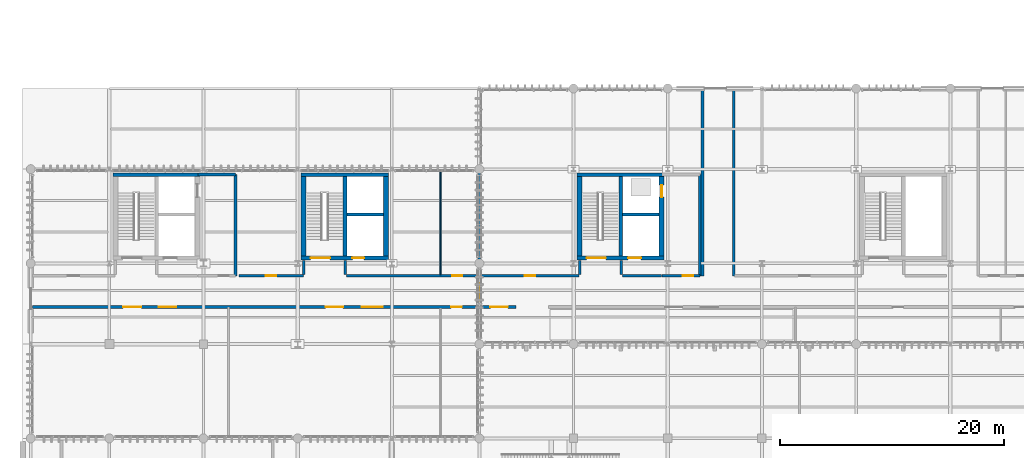
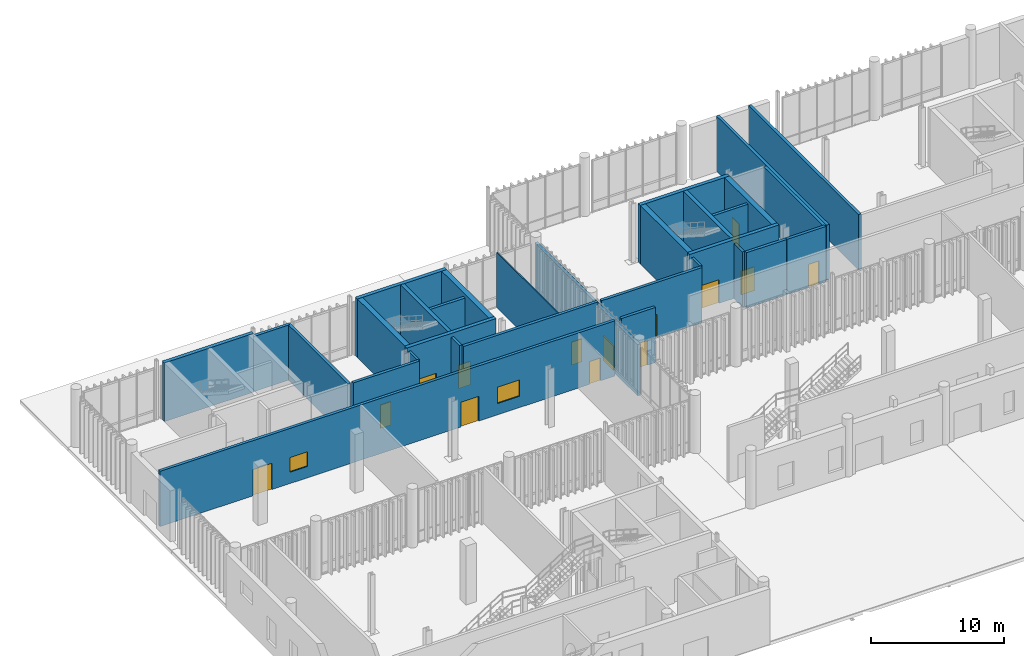
# One storey, part 87 of 112: 31 walls, 14 doors, 2 windows, 16 openings.
"""IFC4 building model written with IfcOpenShell, lengths in metres."""

from ifc_helpers import new_model, si_unit, direction, frame, frame_2d, origin_with_axes, place, context, subcontext, project, spatial, rectangle, extrude, material, layer, layer_set, type_object, element, fill, save


model = new_model("IFC4")

# Units and contexts
model_context = context("Model", 3, precision=1e-05, world=origin_with_axes(), true_north=direction((0.0, 1.0)))
body_context = subcontext(model_context, "Body", "Model", "MODEL_VIEW")
ifc_project = project(units=[si_unit("LENGTHUNIT", "METRE"), si_unit("AREAUNIT", "SQUARE_METRE"), si_unit("VOLUMEUNIT", "CUBIC_METRE"), si_unit("PLANEANGLEUNIT", "RADIAN"), si_unit("MASSUNIT", "GRAM", prefix="KILO"), si_unit("THERMODYNAMICTEMPERATUREUNIT", "KELVIN")], contexts=[model_context])

# Site, building, storey
site_placement = place(None, origin_with_axes())
site = spatial("IfcSite", under=ifc_project, at=site_placement, CompositionType="ELEMENT")
building_placement = place(site_placement, origin_with_axes())
building = spatial("IfcBuilding", under=site, at=building_placement, Name="Montbau Bow Law Courts", CompositionType="ELEMENT")
storey_placement = place(building_placement, origin_with_axes())
storey = spatial("IfcBuildingStorey", under=building, at=storey_placement, Name="L00", CompositionType="ELEMENT", Elevation=0.0)

# Walls
ifc_material_1 = material(Name="Concrete CSA A23.1 f'c 45 MPa", Category="concrete")
ifc_layer_1 = layer(ifc_material_1, 0.45, Name="Shear Wall", Category="concrete")
ifc_layer_set_1 = layer_set([ifc_layer_1], Name="Concrete CSA A23.1 f'c 45 MPa")
wall_type_1 = type_object("IfcWallType", Name="W-COR-02", PredefinedType="SHEAR", material=ifc_layer_set_1)
for number, where, z_axis, x_axis, name in (
    (1, (38.46, 46.84, 0.0), (0.0, 0.0, 1.0), (0.0, 1.0, 0.0), "WC-L00-0090:wal_0157"),
    (2, (31.14, 53.96, 0.0), (0.0, 0.0, 1.0), (0.0, -1.0, 0.0), "WC-L00-0091:wal_0158"),
):
    element("IfcWall", number, at=place(None, frame(where, z_axis=z_axis, x_axis=x_axis)), inside=storey, type_object=wall_type_1, Name=name, PredefinedType="SHEAR", context=body_context, shape_type="SweptSolid", body=[
        extrude(rectangle(XDim=7.119999999999997, YDim=0.45, at=frame_2d((3.56, 0.0), x_axis=(1.0, 0.0))), origin_with_axes(), (0.0, 0.0, 1.0), 5.4),
    ])

# Wall, opening, door
wall_1_placement = place(None, frame((63.06, 46.84, 0.0), z_axis=(0.0, 0.0, 1.0), x_axis=(0.0, 1.0, 0.0)))
wall_1 = element("IfcWall", 3, at=wall_1_placement, inside=storey, type_object=wall_type_1, Name="WC-L00-0144:wal_0211", PredefinedType="SHEAR", context=body_context, shape_type="SweptSolid", body=[
    extrude(rectangle(XDim=7.119999999999997, YDim=0.45, at=frame_2d((3.56, 0.0), x_axis=(1.0, 0.0))), origin_with_axes(), (0.0, 0.0, 1.0), 5.4),
])
opening_1_placement = place(None, frame((63.06, 52.64, 0.0), z_axis=(0.0, 0.0, 1.0), x_axis=(0.0, 1.0, 0.0)))
opening_1 = element("IfcOpeningElement", 4, at=opening_1_placement, cuts=wall_1, Name="OP-LD-L00-EL-J3", PredefinedType="OPENING", context=body_context, shape_type="SweptSolid", body=[
    extrude(rectangle(XDim=1.06, YDim=2.16, at=frame_2d((0.0, 1.08), x_axis=(1.0, 0.0))), frame((0.0, 0.235, 0.0), z_axis=(0.0, -1.0, 0.0), x_axis=(1.0, 0.0, 0.0)), (0.0, 0.0, 1.0), 0.47),
])
ifc_material_2 = material(Name="Bronze-Clad Judicial Elevator Landing Door", Category="steel")
door_type_1 = type_object("IfcDoorType", Name="LD-JUD-01", OperationType="NOTDEFINED", ParameterTakesPrecedence=False, PredefinedType="DOOR", material=ifc_material_2)
door_1_placement = place(None, frame((63.06, 52.64, 0.0), z_axis=(0.0, 0.0, 1.0), x_axis=(0.0, 1.0, 0.0)))
door_1 = element("IfcDoor", 5, at=door_1_placement, inside=storey, type_object=door_type_1, Name="LD-L00-EL-J3:dor_0095", OperationType="SLIDING_TO_LEFT", OverallHeight=2.16, OverallWidth=1.06, PredefinedType="DOOR", context=body_context, shape_type="SweptSolid", body=[
    extrude(rectangle(XDim=1.06, YDim=2.16, at=frame_2d((0.0, 1.08), x_axis=(1.0, 0.0))), frame((0.0, 0.04, 0.0), z_axis=(0.0, -1.0, 0.0), x_axis=(1.0, 0.0, 0.0)), (0.0, 0.0, 1.0), 0.08),
])
fill(opening_1, door_1)

# Walls
wall_2_placement = place(None, frame((55.74, 53.96, 0.0), z_axis=(0.0, 0.0, 1.0), x_axis=(0.0, -1.0, 0.0)))
element("IfcWall", 6, at=wall_2_placement, inside=storey, type_object=wall_type_1, Name="WC-L00-0145:wal_0212", PredefinedType="SHEAR", context=body_context, shape_type="SweptSolid", body=[
    extrude(rectangle(XDim=7.119999999999997, YDim=0.45, at=frame_2d((3.56, 0.0), x_axis=(1.0, 0.0))), origin_with_axes(), (0.0, 0.0, 1.0), 5.4),
])
ifc_layer_2 = layer(ifc_material_1, 0.32, Name="Shear Wall", Category="concrete")
ifc_layer_set_2 = layer_set([ifc_layer_2], Name="Concrete CSA A23.1 f'c 45 MPa")
wall_type_2 = type_object("IfcWallType", Name="W-COR-05", PredefinedType="SHEAR", material=ifc_layer_set_2)
wall_3_placement = place(None, frame((21.885, 54.12, 0.0), z_axis=(0.0, 0.0, 1.0), x_axis=(-1.0, 0.0, 0.0)))
element("IfcWall", 7, at=wall_3_placement, inside=storey, type_object=wall_type_2, Name="WC-L00-0011:wal_0078", PredefinedType="SHEAR", context=body_context, shape_type="SweptSolid", body=[
    extrude(rectangle(XDim=7.770000000000001, YDim=0.32, at=frame_2d((3.885, 0.0), x_axis=(1.0, 0.0))), origin_with_axes(), (0.0, 0.0, 1.0), 5.4),
])

# Wall, openings, doors
wall_4_placement = place(None, frame((30.915, 46.68, 0.0), z_axis=(0.0, 0.0, 1.0), x_axis=(1.0, 0.0, 0.0)))
wall_4 = element("IfcWall", 8, at=wall_4_placement, inside=storey, type_object=wall_type_2, Name="WC-L00-0088:wal_0155", PredefinedType="SHEAR", context=body_context, shape_type="SweptSolid", body=[
    extrude(rectangle(XDim=7.770000000000003, YDim=0.32, at=frame_2d((3.885, 0.0), x_axis=(1.0, 0.0))), origin_with_axes(), (0.0, 0.0, 1.0), 5.4),
])
opening_2_placement = place(None, frame((32.625, 46.68, 0.0), z_axis=(0.0, 0.0, 1.0), x_axis=(1.0, 0.0, 0.0)))
opening_2 = element("IfcOpeningElement", 9, at=opening_2_placement, cuts=wall_4, Name="OP-D-L00-ST-J1", PredefinedType="OPENING", context=body_context, shape_type="SweptSolid", body=[
    extrude(rectangle(XDim=1.72, YDim=2.18, at=frame_2d((0.0, 1.09), x_axis=(1.0, 0.0))), frame((0.0, 0.17, 0.0), z_axis=(0.0, -1.0, 0.0), x_axis=(1.0, 0.0, 0.0)), (0.0, 0.0, 1.0), 0.34),
])
opening_3_placement = place(None, frame((36.0, 46.68, 0.0), z_axis=(0.0, 0.0, 1.0), x_axis=(1.0, 0.0, 0.0)))
opening_3 = element("IfcOpeningElement", 10, at=opening_3_placement, cuts=wall_4, Name="OP-LD-L00-EL-J1", PredefinedType="OPENING", context=body_context, shape_type="SweptSolid", body=[
    extrude(rectangle(XDim=1.06, YDim=2.16, at=frame_2d((0.0, 1.08), x_axis=(1.0, 0.0))), frame((0.0, 0.17, 0.0), z_axis=(0.0, -1.0, 0.0), x_axis=(1.0, 0.0, 0.0)), (0.0, 0.0, 1.0), 0.34),
])
ifc_material_3 = material(Name="1.5 h Fire-Rated Double Exit Stair Discharge Door", Category="steel")
door_type_2 = type_object("IfcDoorType", Name="D-ST-02", OperationType="NOTDEFINED", ParameterTakesPrecedence=False, PredefinedType="DOOR", material=ifc_material_3)
door_2_placement = place(None, frame((32.625, 46.68, 0.0), z_axis=(0.0, 0.0, 1.0), x_axis=(-1.0, 0.0, 0.0)))
door_2 = element("IfcDoor", 11, at=door_2_placement, inside=storey, type_object=door_type_2, Name="D-L00-ST-J1:dor_0075", OperationType="DOUBLE_DOOR_SINGLE_SWING", OverallHeight=2.18, OverallWidth=1.72, PredefinedType="DOOR", context=body_context, shape_type="SweptSolid", body=[
    extrude(rectangle(XDim=1.72, YDim=2.18, at=frame_2d((0.0, 1.09), x_axis=(1.0, 0.0))), frame((0.0, 0.04, 0.0), z_axis=(0.0, -1.0, 0.0), x_axis=(1.0, 0.0, 0.0)), (0.0, 0.0, 1.0), 0.08),
])
fill(opening_2, door_2)
door_3_placement = place(None, frame((36.0, 46.68, 0.0), z_axis=(0.0, 0.0, 1.0), x_axis=(-1.0, 0.0, 0.0)))
door_3 = element("IfcDoor", 12, at=door_3_placement, inside=storey, type_object=door_type_1, Name="LD-L00-EL-J1:dor_0076", OperationType="SLIDING_TO_LEFT", OverallHeight=2.16, OverallWidth=1.06, PredefinedType="DOOR", context=body_context, shape_type="SweptSolid", body=[
    extrude(rectangle(XDim=1.06, YDim=2.16, at=frame_2d((0.0, 1.08), x_axis=(1.0, 0.0))), frame((0.0, 0.04, 0.0), z_axis=(0.0, -1.0, 0.0), x_axis=(1.0, 0.0, 0.0)), (0.0, 0.0, 1.0), 0.08),
])
fill(opening_3, door_3)

# Walls
wall_5_placement = place(None, frame((38.685, 54.12, 0.0), z_axis=(0.0, 0.0, 1.0), x_axis=(-1.0, 0.0, 0.0)))
element("IfcWall", 13, at=wall_5_placement, inside=storey, type_object=wall_type_2, Name="WC-L00-0089:wal_0156", PredefinedType="SHEAR", context=body_context, shape_type="SweptSolid", body=[
    extrude(rectangle(XDim=7.770000000000003, YDim=0.32, at=frame_2d((3.885, 0.0), x_axis=(1.0, 0.0))), origin_with_axes(), (0.0, 0.0, 1.0), 5.4),
])
wall_6_placement = place(None, frame((34.82, 46.84, 0.0), z_axis=(0.0, 0.0, 1.0), x_axis=(0.0, 1.0, 0.0)))
element("IfcWall", 14, at=wall_6_placement, inside=storey, type_object=wall_type_2, Name="WS-L00-0092:wal_0159", PredefinedType="SHEAR", context=body_context, shape_type="SweptSolid", body=[
    extrude(rectangle(XDim=7.119999999999997, YDim=0.32, at=frame_2d((3.56, 0.0), x_axis=(1.0, 0.0))), origin_with_axes(), (0.0, 0.0, 1.0), 5.4),
])

# Wall, openings, doors
wall_7_placement = place(None, frame((55.515, 46.68, 0.0), z_axis=(0.0, 0.0, 1.0), x_axis=(1.0, 0.0, 0.0)))
wall_7 = element("IfcWall", 15, at=wall_7_placement, inside=storey, type_object=wall_type_2, Name="WC-L00-0142:wal_0209", PredefinedType="SHEAR", context=body_context, shape_type="SweptSolid", body=[
    extrude(rectangle(XDim=7.769999999999996, YDim=0.32, at=frame_2d((3.885, 0.0), x_axis=(1.0, 0.0))), origin_with_axes(), (0.0, 0.0, 1.0), 5.4),
])
opening_4_placement = place(None, frame((57.225, 46.68, 0.0), z_axis=(0.0, 0.0, 1.0), x_axis=(1.0, 0.0, 0.0)))
opening_4 = element("IfcOpeningElement", 16, at=opening_4_placement, cuts=wall_7, Name="OP-D-L00-ST-P4", PredefinedType="OPENING", context=body_context, shape_type="SweptSolid", body=[
    extrude(rectangle(XDim=1.72, YDim=2.18, at=frame_2d((0.0, 1.09), x_axis=(1.0, 0.0))), frame((0.0, 0.17, 0.0), z_axis=(0.0, -1.0, 0.0), x_axis=(1.0, 0.0, 0.0)), (0.0, 0.0, 1.0), 0.34),
])
opening_5_placement = place(None, frame((60.65, 46.68, 0.0), z_axis=(0.0, 0.0, 1.0), x_axis=(1.0, 0.0, 0.0)))
opening_5 = element("IfcOpeningElement", 17, at=opening_5_placement, cuts=wall_7, Name="OP-LD-L00-EL-P3", PredefinedType="OPENING", context=body_context, shape_type="SweptSolid", body=[
    extrude(rectangle(XDim=1.16, YDim=2.2, at=frame_2d((0.0, 1.1), x_axis=(1.0, 0.0))), frame((0.0, 0.17, 0.0), z_axis=(0.0, -1.0, 0.0), x_axis=(1.0, 0.0, 0.0)), (0.0, 0.0, 1.0), 0.34),
])
door_4_placement = place(None, frame((57.225, 46.68, 0.0), z_axis=(0.0, 0.0, 1.0), x_axis=(-1.0, 0.0, 0.0)))
door_4 = element("IfcDoor", 18, at=door_4_placement, inside=storey, type_object=door_type_2, Name="D-L00-ST-P4:dor_0093", OperationType="DOUBLE_DOOR_SINGLE_SWING", OverallHeight=2.18, OverallWidth=1.72, PredefinedType="DOOR", context=body_context, shape_type="SweptSolid", body=[
    extrude(rectangle(XDim=1.72, YDim=2.18, at=frame_2d((0.0, 1.09), x_axis=(1.0, 0.0))), frame((0.0, 0.04, 0.0), z_axis=(0.0, -1.0, 0.0), x_axis=(1.0, 0.0, 0.0)), (0.0, 0.0, 1.0), 0.08),
])
fill(opening_4, door_4)
ifc_material_4 = material(Name="Brushed Stainless Steel Elevator Landing Door", Category="steel")
door_type_3 = type_object("IfcDoorType", Name="LD-PUB-01", OperationType="NOTDEFINED", ParameterTakesPrecedence=False, PredefinedType="DOOR", material=ifc_material_4)
door_5_placement = place(None, frame((60.65, 46.68, 0.0), z_axis=(0.0, 0.0, 1.0), x_axis=(-1.0, 0.0, 0.0)))
door_5 = element("IfcDoor", 19, at=door_5_placement, inside=storey, type_object=door_type_3, Name="LD-L00-EL-P3:dor_0094", OperationType="SLIDING_TO_LEFT", OverallHeight=2.2, OverallWidth=1.16, PredefinedType="DOOR", context=body_context, shape_type="SweptSolid", body=[
    extrude(rectangle(XDim=1.16, YDim=2.2, at=frame_2d((0.0, 1.1), x_axis=(1.0, 0.0))), frame((0.0, 0.04, 0.0), z_axis=(0.0, -1.0, 0.0), x_axis=(1.0, 0.0, 0.0)), (0.0, 0.0, 1.0), 0.08),
])
fill(opening_5, door_5)

# Walls
wall_8_placement = place(None, frame((63.285, 54.12, 0.0), z_axis=(0.0, 0.0, 1.0), x_axis=(-1.0, 0.0, 0.0)))
element("IfcWall", 20, at=wall_8_placement, inside=storey, type_object=wall_type_2, Name="WC-L00-0143:wal_0210", PredefinedType="SHEAR", context=body_context, shape_type="SweptSolid", body=[
    extrude(rectangle(XDim=7.769999999999996, YDim=0.32, at=frame_2d((3.885, 0.0), x_axis=(1.0, 0.0))), origin_with_axes(), (0.0, 0.0, 1.0), 5.4),
])
wall_9_placement = place(None, frame((59.42, 46.84, 0.0), z_axis=(0.0, 0.0, 1.0), x_axis=(0.0, 1.0, 0.0)))
element("IfcWall", 21, at=wall_9_placement, inside=storey, type_object=wall_type_2, Name="WS-L00-0146:wal_0213", PredefinedType="SHEAR", context=body_context, shape_type="SweptSolid", body=[
    extrude(rectangle(XDim=7.119999999999997, YDim=0.32, at=frame_2d((3.56, 0.0), x_axis=(1.0, 0.0))), origin_with_axes(), (0.0, 0.0, 1.0), 5.4),
])
ifc_material_5 = material(Name="2 h Shaft and Exit-Passage Fire Separation Partition", Category="gypsum")
ifc_layer_3 = layer(ifc_material_5, 0.25, Name="Partition", Category="gypsum")
ifc_layer_set_3 = layer_set([ifc_layer_3], Name="2 h Shaft and Exit-Passage Fire Separation Partition")
wall_type_3 = type_object("IfcWallType", Name="W-PRT-01", PredefinedType="PARTITIONING", material=ifc_layer_set_3)
wall_10_placement = place(None, frame((25.06, 45.09, 0.0), z_axis=(0.0, 0.0, 1.0), x_axis=(0.0, 1.0, 0.0)))
element("IfcWall", 22, at=wall_10_placement, inside=storey, type_object=wall_type_3, Name="WEL-L00-0016:wal_0083", PredefinedType="PARTITIONING", context=body_context, shape_type="SweptSolid", body=[
    extrude(rectangle(XDim=9.029999999999994, YDim=0.25, at=frame_2d((4.515, 0.0), x_axis=(1.0, 0.0))), origin_with_axes(), (0.0, 0.0, 1.0), 5.08),
])
wall_11_placement = place(None, frame((21.7, 54.12, 0.0), z_axis=(0.0, 0.0, 1.0), x_axis=(1.0, 0.0, 0.0)))
element("IfcWall", 23, at=wall_11_placement, inside=storey, type_object=wall_type_3, Name="WEL-L00-0017:wal_0084", PredefinedType="PARTITIONING", context=body_context, shape_type="SweptSolid", body=[
    extrude(rectangle(XDim=3.3599999999999994, YDim=0.25, at=frame_2d((1.68, 0.0), x_axis=(1.0, 0.0))), origin_with_axes(), (0.0, 0.0, 1.0), 5.08),
])
for number, where, z_axis, x_axis, name in (
    (24, (34.98, 50.549, 0.0), (0.0, 0.0, 1.0), (1.0, 0.0, 0.0), "WS-L00-0093:wal_0160"),
    (25, (59.58, 50.549, 0.0), (0.0, 0.0, 1.0), (1.0, 0.0, 0.0), "WS-L00-0147:wal_0214"),
):
    element("IfcWall", number, at=place(None, frame(where, z_axis=z_axis, x_axis=x_axis)), inside=storey, type_object=wall_type_3, Name=name, PredefinedType="PARTITIONING", context=body_context, shape_type="SweptSolid", body=[
        extrude(rectangle(XDim=3.2550000000000026, YDim=0.25, at=frame_2d((1.6275, 0.0), x_axis=(1.0, 0.0))), origin_with_axes(), (0.0, 0.0, 1.0), 5.08),
    ])
wall_12_placement = place(None, frame((66.46, 45.09, 0.0), z_axis=(0.0, 0.0, 1.0), x_axis=(0.0, 1.0, 0.0)))
element("IfcWall", 26, at=wall_12_placement, inside=storey, type_object=wall_type_3, Name="WEL-L00-0148:wal_0215", PredefinedType="PARTITIONING", context=body_context, shape_type="SweptSolid", body=[
    extrude(rectangle(XDim=9.029999999999994, YDim=0.25, at=frame_2d((4.515, 0.0), x_axis=(1.0, 0.0))), origin_with_axes(), (0.0, 0.0, 1.0), 5.08),
])

# Wall, opening, door
wall_13_placement = place(None, frame((63.1, 45.09, 0.0), z_axis=(0.0, 0.0, 1.0), x_axis=(1.0, 0.0, 0.0)))
wall_13 = element("IfcWall", 27, at=wall_13_placement, inside=storey, type_object=wall_type_3, Name="WEL-L00-0150:wal_0217", PredefinedType="PARTITIONING", context=body_context, shape_type="SweptSolid", body=[
    extrude(rectangle(XDim=3.3599999999999923, YDim=0.25, at=frame_2d((1.68, 0.0), x_axis=(1.0, 0.0))), origin_with_axes(), (0.0, 0.0, 1.0), 5.08),
])
opening_6_placement = place(None, frame((65.405, 45.09, 0.0), z_axis=(0.0, 0.0, 1.0), x_axis=(1.0, 0.0, 0.0)))
opening_6 = element("IfcOpeningElement", 28, at=opening_6_placement, cuts=wall_13, Name="OP-D-L00-ELB-CORE-C1", PredefinedType="OPENING", context=body_context, shape_type="SweptSolid", body=[
    extrude(rectangle(XDim=0.91, YDim=2.12, at=frame_2d((0.0, 1.06), x_axis=(1.0, 0.0))), frame((0.0, 0.135, 0.0), z_axis=(0.0, -1.0, 0.0), x_axis=(1.0, 0.0, 0.0)), (0.0, 0.0, 1.0), 0.27),
])
ifc_material_6 = material(Name="Public and Judicial Washroom Solid-Core Door", Category="wood")
door_type_4 = type_object("IfcDoorType", Name="D-WC-02", OperationType="NOTDEFINED", ParameterTakesPrecedence=False, PredefinedType="DOOR", material=ifc_material_6)
door_6_placement = place(None, frame((65.405, 45.09, 0.0), z_axis=(0.0, 0.0, 1.0), x_axis=(1.0, 0.0, 0.0)))
door_6 = element("IfcDoor", 29, at=door_6_placement, inside=storey, type_object=door_type_4, Name="D-L00-ELB-CORE-C1:dor_0096", OperationType="SINGLE_SWING_LEFT", OverallHeight=2.12, OverallWidth=0.91, PredefinedType="DOOR", context=body_context, shape_type="SweptSolid", body=[
    extrude(rectangle(XDim=0.91, YDim=2.12, at=frame_2d((0.0, 1.06), x_axis=(1.0, 0.0))), frame((0.0, 0.04, 0.0), z_axis=(0.0, -1.0, 0.0), x_axis=(1.0, 0.0, 0.0)), (0.0, 0.0, 1.0), 0.08),
])
fill(opening_6, door_6)

wall_14_placement = place(None, frame((46.8, 39.05, 0.0), z_axis=(0.0, 0.0, 1.0), x_axis=(0.0, 1.0, 0.0)))
wall_14 = element("IfcWall", 30, at=wall_14_placement, inside=storey, type_object=wall_type_3, Name="WLK-L00-0557:wal_0624", PredefinedType="PARTITIONING", context=body_context, shape_type="SweptSolid", body=[
    extrude(rectangle(XDim=15.5, YDim=0.25, at=frame_2d((7.75, 0.0), x_axis=(1.0, 0.0))), origin_with_axes(), (0.0, 0.0, 1.0), 4.724),
])
opening_7_placement = place(None, frame((46.8, 43.63, 0.0), z_axis=(0.0, 0.0, 1.0), x_axis=(0.0, 1.0, 0.0)))
opening_7 = element("IfcOpeningElement", 31, at=opening_7_placement, cuts=wall_14, Name="OP-D-LNK-206", PredefinedType="OPENING", context=body_context, shape_type="SweptSolid", body=[
    extrude(rectangle(XDim=1.56, YDim=2.28, at=frame_2d((0.0, 1.14), x_axis=(1.0, 0.0))), frame((0.0, 0.135, 0.0), z_axis=(0.0, -1.0, 0.0), x_axis=(1.0, 0.0, 0.0)), (0.0, 0.0, 1.0), 0.27),
])
ifc_material_7 = material(Name="Case Registry Counter Suite Double Door", Category="wood")
door_type_5 = type_object("IfcDoorType", Name="D-REG-01", OperationType="NOTDEFINED", ParameterTakesPrecedence=False, PredefinedType="DOOR", material=ifc_material_7)
door_7_placement = place(None, frame((46.8, 43.63, 0.0), z_axis=(0.0, 0.0, 1.0), x_axis=(0.0, 1.0, 0.0)))
door_7 = element("IfcDoor", 32, at=door_7_placement, inside=storey, type_object=door_type_5, Name="D-LNK-206:dor_0240", OperationType="DOUBLE_DOOR_SINGLE_SWING", OverallHeight=2.28, OverallWidth=1.56, PredefinedType="DOOR", context=body_context, shape_type="SweptSolid", body=[
    extrude(rectangle(XDim=1.56, YDim=2.28, at=frame_2d((0.0, 1.14), x_axis=(1.0, 0.0))), frame((0.0, 0.04, 0.0), z_axis=(0.0, -1.0, 0.0), x_axis=(1.0, 0.0, 0.0)), (0.0, 0.0, 1.0), 0.08),
])
fill(opening_7, door_7)

# Walls
for number, where, z_axis, x_axis, name in (
    (33, (66.71, 45.09, 0.0), (0.0, 0.0, 1.0), (0.0, 1.0, 0.0), "WCX-L00-0565:wal_0632"),
    (34, (69.49, 45.09, 0.0), (0.0, 0.0, 1.0), (0.0, 1.0, 0.0), "WCX-L00-0566:wal_0633"),
):
    element("IfcWall", number, at=place(None, frame(where, z_axis=z_axis, x_axis=x_axis)), inside=storey, type_object=wall_type_3, Name=name, PredefinedType="PARTITIONING", context=body_context, shape_type="SweptSolid", body=[
        extrude(rectangle(XDim=16.569999999999993, YDim=0.25, at=frame_2d((8.285, 0.0), x_axis=(1.0, 0.0))), origin_with_axes(), (0.0, 0.0, 1.0), 5.08),
    ])

# Wall, opening, door
wall_15_placement = place(None, frame((25.355, 45.09, 0.0), z_axis=(0.0, 0.0, 1.0), x_axis=(1.0, 0.0, 0.0)))
wall_15 = element("IfcWall", 35, at=wall_15_placement, inside=storey, type_object=wall_type_3, Name="WP-L00-0624:wal_0691", PredefinedType="PARTITIONING", context=body_context, shape_type="SweptSolid", body=[
    extrude(rectangle(XDim=5.745000000000001, YDim=0.25, at=frame_2d((2.8725, 0.0), x_axis=(1.0, 0.0))), origin_with_axes(), (0.0, 0.0, 1.0), 5.08),
])
opening_8_placement = place(None, frame((28.227, 45.09, 0.0), z_axis=(0.0, 0.0, 1.0), x_axis=(1.0, 0.0, 0.0)))
opening_8 = element("IfcOpeningElement", 36, at=opening_8_placement, cuts=wall_15, Name="OP-D-L00-235", PredefinedType="OPENING", context=body_context, shape_type="SweptSolid", body=[
    extrude(rectangle(XDim=0.95, YDim=2.16, at=frame_2d((0.0, 1.08), x_axis=(1.0, 0.0))), frame((0.0, 0.135, 0.0), z_axis=(0.0, -1.0, 0.0), x_axis=(1.0, 0.0, 0.0)), (0.0, 0.0, 1.0), 0.27),
])
ifc_material_8 = material(Name="Mediation and Witness Waiting Acoustic Oak Door", Category="wood")
door_type_6 = type_object("IfcDoorType", Name="D-MED-01", OperationType="NOTDEFINED", ParameterTakesPrecedence=False, PredefinedType="DOOR", material=ifc_material_8)
door_8_placement = place(None, frame((28.227, 45.09, 0.0), z_axis=(0.0, 0.0, 1.0), x_axis=(-1.0, 0.0, 0.0)))
door_8 = element("IfcDoor", 37, at=door_8_placement, inside=storey, type_object=door_type_6, Name="D-L00-235:dor_0270", OperationType="SINGLE_SWING_RIGHT", OverallHeight=2.16, OverallWidth=0.95, PredefinedType="DOOR", context=body_context, shape_type="SweptSolid", body=[
    extrude(rectangle(XDim=0.95, YDim=2.16, at=frame_2d((0.0, 1.08), x_axis=(1.0, 0.0))), frame((0.0, 0.04, 0.0), z_axis=(0.0, -1.0, 0.0), x_axis=(1.0, 0.0, 0.0)), (0.0, 0.0, 1.0), 0.08),
])
fill(opening_8, door_8)

wall_16_placement = place(None, frame((34.95, 45.09, 0.0), z_axis=(0.0, 0.0, 1.0), x_axis=(1.0, 0.0, 0.0)))
wall_16 = element("IfcWall", 38, at=wall_16_placement, inside=storey, type_object=wall_type_3, Name="WP-L00-0625:wal_0692", PredefinedType="PARTITIONING", context=body_context, shape_type="SweptSolid", body=[
    extrude(rectangle(XDim=11.709999999999994, YDim=0.25, at=frame_2d((5.855, 0.0), x_axis=(1.0, 0.0))), origin_with_axes(), (0.0, 0.0, 1.0), 5.08),
])
opening_9_placement = place(None, frame((44.838, 45.09, 0.0), z_axis=(0.0, 0.0, 1.0), x_axis=(1.0, 0.0, 0.0)))
opening_9 = element("IfcOpeningElement", 39, at=opening_9_placement, cuts=wall_16, Name="OP-D-L00-236", PredefinedType="OPENING", context=body_context, shape_type="SweptSolid", body=[
    extrude(rectangle(XDim=0.91, YDim=2.12, at=frame_2d((0.0, 1.06), x_axis=(1.0, 0.0))), frame((0.0, 0.135, 0.0), z_axis=(0.0, -1.0, 0.0), x_axis=(1.0, 0.0, 0.0)), (0.0, 0.0, 1.0), 0.27),
])
door_9_placement = place(None, frame((44.838, 45.09, 0.0), z_axis=(0.0, 0.0, 1.0), x_axis=(-1.0, 0.0, 0.0)))
door_9 = element("IfcDoor", 40, at=door_9_placement, inside=storey, type_object=door_type_4, Name="D-L00-236:dor_0271", OperationType="SINGLE_SWING_LEFT", OverallHeight=2.12, OverallWidth=0.91, PredefinedType="DOOR", context=body_context, shape_type="SweptSolid", body=[
    extrude(rectangle(XDim=0.91, YDim=2.12, at=frame_2d((0.0, 1.06), x_axis=(1.0, 0.0))), frame((0.0, 0.04, 0.0), z_axis=(0.0, -1.0, 0.0), x_axis=(1.0, 0.0, 0.0)), (0.0, 0.0, 1.0), 0.08),
])
fill(opening_9, door_9)

# Wall, openings, doors, windows
wall_17_placement = place(None, frame((6.94, 42.31, 0.0), z_axis=(0.0, 0.0, 1.0), x_axis=(1.0, 0.0, 0.0)))
wall_17 = element("IfcWall", 41, at=wall_17_placement, inside=storey, type_object=wall_type_3, Name="WP-L00-0626:wal_0693", PredefinedType="PARTITIONING", context=body_context, shape_type="SweptSolid", body=[
    extrude(rectangle(XDim=39.580000000000005, YDim=0.25, at=frame_2d((19.79, 0.0), x_axis=(1.0, 0.0))), origin_with_axes(), (0.0, 0.0, 1.0), 5.08),
])
opening_10_placement = place(None, frame((15.845, 42.31, 0.0), z_axis=(0.0, 0.0, 1.0), x_axis=(1.0, 0.0, 0.0)))
opening_10 = element("IfcOpeningElement", 42, at=opening_10_placement, cuts=wall_17, Name="OP-D-L00-237", PredefinedType="OPENING", context=body_context, shape_type="SweptSolid", body=[
    extrude(rectangle(XDim=1.64, YDim=2.42, at=frame_2d((0.0, 1.21), x_axis=(1.0, 0.0))), frame((0.0, 0.135, 0.0), z_axis=(0.0, -1.0, 0.0), x_axis=(1.0, 0.0, 0.0)), (0.0, 0.0, 1.0), 0.27),
])
opening_11_placement = place(None, frame((33.883, 42.31, 0.0), z_axis=(0.0, 0.0, 1.0), x_axis=(1.0, 0.0, 0.0)))
opening_11 = element("IfcOpeningElement", 43, at=opening_11_placement, cuts=wall_17, Name="OP-D-L00-238", PredefinedType="OPENING", context=body_context, shape_type="SweptSolid", body=[
    extrude(rectangle(XDim=1.56, YDim=2.28, at=frame_2d((0.0, 1.14), x_axis=(1.0, 0.0))), frame((0.0, 0.135, 0.0), z_axis=(0.0, -1.0, 0.0), x_axis=(1.0, 0.0, 0.0)), (0.0, 0.0, 1.0), 0.27),
])
opening_12_placement = place(None, frame((44.768, 42.31, 0.0), z_axis=(0.0, 0.0, 1.0), x_axis=(1.0, 0.0, 0.0)))
opening_12 = element("IfcOpeningElement", 44, at=opening_12_placement, cuts=wall_17, Name="OP-D-L00-239", PredefinedType="OPENING", context=body_context, shape_type="SweptSolid", body=[
    extrude(rectangle(XDim=0.95, YDim=2.1, at=frame_2d((0.0, 1.05), x_axis=(1.0, 0.0))), frame((0.0, 0.135, 0.0), z_axis=(0.0, -1.0, 0.0), x_axis=(1.0, 0.0, 0.0)), (0.0, 0.0, 1.0), 0.27),
])
opening_13_placement = place(None, frame((19.0, 42.31, 1.05), z_axis=(0.0, 0.0, 1.0), x_axis=(1.0, 0.0, 0.0)))
opening_13 = element("IfcOpeningElement", 45, at=opening_13_placement, cuts=wall_17, Name="OP-WI-L00-02", PredefinedType="OPENING", context=body_context, shape_type="SweptSolid", body=[
    extrude(rectangle(XDim=1.55, YDim=1.35, at=frame_2d((0.0, 0.675), x_axis=(1.0, 0.0))), frame((0.0, 0.135, 0.0), z_axis=(0.0, -1.0, 0.0), x_axis=(1.0, 0.0, 0.0)), (0.0, 0.0, 1.0), 0.27),
])
opening_14_placement = place(None, frame((37.253, 42.31, 1.05), z_axis=(0.0, 0.0, 1.0), x_axis=(1.0, 0.0, 0.0)))
opening_14 = element("IfcOpeningElement", 46, at=opening_14_placement, cuts=wall_17, Name="OP-WI-L00-03", PredefinedType="OPENING", context=body_context, shape_type="SweptSolid", body=[
    extrude(rectangle(XDim=1.9, YDim=1.5, at=frame_2d((0.0, 0.75), x_axis=(1.0, 0.0))), frame((0.0, 0.135, 0.0), z_axis=(0.0, -1.0, 0.0), x_axis=(1.0, 0.0, 0.0)), (0.0, 0.0, 1.0), 0.27),
])
ifc_material_9 = material(Name="Acoustic White-Oak Civil and Family Hearing Double Door", Category="wood")
door_type_7 = type_object("IfcDoorType", Name="D-CRT-04", OperationType="NOTDEFINED", ParameterTakesPrecedence=False, PredefinedType="DOOR", material=ifc_material_9)
door_10_placement = place(None, frame((15.845, 42.31, 0.0), z_axis=(0.0, 0.0, 1.0), x_axis=(-1.0, 0.0, 0.0)))
door_10 = element("IfcDoor", 47, at=door_10_placement, inside=storey, type_object=door_type_7, Name="D-L00-237:dor_0272", OperationType="DOUBLE_DOOR_SINGLE_SWING", OverallHeight=2.42, OverallWidth=1.64, PredefinedType="DOOR", context=body_context, shape_type="SweptSolid", body=[
    extrude(rectangle(XDim=1.64, YDim=2.42, at=frame_2d((0.0, 1.21), x_axis=(1.0, 0.0))), frame((0.0, 0.04, 0.0), z_axis=(0.0, -1.0, 0.0), x_axis=(1.0, 0.0, 0.0)), (0.0, 0.0, 1.0), 0.08),
])
fill(opening_10, door_10)
door_11_placement = place(None, frame((33.883, 42.31, 0.0), z_axis=(0.0, 0.0, 1.0), x_axis=(-1.0, 0.0, 0.0)))
door_11 = element("IfcDoor", 48, at=door_11_placement, inside=storey, type_object=door_type_5, Name="D-L00-238:dor_0273", OperationType="DOUBLE_DOOR_SINGLE_SWING", OverallHeight=2.28, OverallWidth=1.56, PredefinedType="DOOR", context=body_context, shape_type="SweptSolid", body=[
    extrude(rectangle(XDim=1.56, YDim=2.28, at=frame_2d((0.0, 1.14), x_axis=(1.0, 0.0))), frame((0.0, 0.04, 0.0), z_axis=(0.0, -1.0, 0.0), x_axis=(1.0, 0.0, 0.0)), (0.0, 0.0, 1.0), 0.08),
])
fill(opening_11, door_11)
ifc_material_10 = material(Name="CSA B651 Universal Barrier-Free Washroom Door", Category="wood")
door_type_8 = type_object("IfcDoorType", Name="D-WC-01", OperationType="NOTDEFINED", ParameterTakesPrecedence=False, PredefinedType="DOOR", material=ifc_material_10)
door_12_placement = place(None, frame((44.768, 42.31, 0.0), z_axis=(0.0, 0.0, 1.0), x_axis=(-1.0, 0.0, 0.0)))
door_12 = element("IfcDoor", 49, at=door_12_placement, inside=storey, type_object=door_type_8, Name="D-L00-239:dor_0274", OperationType="SINGLE_SWING_RIGHT", OverallHeight=2.1, OverallWidth=0.95, PredefinedType="DOOR", context=body_context, shape_type="SweptSolid", body=[
    extrude(rectangle(XDim=0.95, YDim=2.1, at=frame_2d((0.0, 1.05), x_axis=(1.0, 0.0))), frame((0.0, 0.04, 0.0), z_axis=(0.0, -1.0, 0.0), x_axis=(1.0, 0.0, 0.0)), (0.0, 0.0, 1.0), 0.08),
])
fill(opening_12, door_12)
ifc_material_11 = material(Name="Fire-Rated Acoustic Borrowed-Light Interior Glazing", Category="glass")
window_type_1 = type_object("IfcWindowType", Name="WN-INT-01", ParameterTakesPrecedence=False, PartitioningType="SINGLE_PANEL", PredefinedType="WINDOW", material=ifc_material_11)
window_1_placement = place(None, frame((37.253, 42.31, 1.05), z_axis=(0.0, 0.0, 1.0), x_axis=(1.0, 0.0, 0.0)))
window_1 = element("IfcWindow", 50, at=window_1_placement, inside=storey, type_object=window_type_1, Name="WI-L00-03:win_0125", OverallHeight=1.5, OverallWidth=1.9, PartitioningType="SINGLE_PANEL", PredefinedType="WINDOW", context=body_context, shape_type="SweptSolid", body=[
    extrude(rectangle(XDim=1.9, YDim=1.5, at=frame_2d((0.0, 0.75), x_axis=(1.0, 0.0))), frame((0.0, 0.03, 0.0), z_axis=(0.0, -1.0, 0.0), x_axis=(1.0, 0.0, 0.0)), (0.0, 0.0, 1.0), 0.06),
])
fill(opening_14, window_1)
ifc_material_12 = material(Name="Registry Counter Security Pass-Through Glazing", Category="glass")
window_type_2 = type_object("IfcWindowType", Name="WN-INT-02", ParameterTakesPrecedence=False, PartitioningType="SINGLE_PANEL", PredefinedType="WINDOW", material=ifc_material_12)
window_2_placement = place(None, frame((19.0, 42.31, 1.05), z_axis=(0.0, 0.0, 1.0), x_axis=(1.0, 0.0, 0.0)))
window_2 = element("IfcWindow", 51, at=window_2_placement, inside=storey, type_object=window_type_2, Name="WI-L00-02:win_0124", OverallHeight=1.35, OverallWidth=1.55, PartitioningType="SINGLE_PANEL", PredefinedType="WINDOW", context=body_context, shape_type="SweptSolid", body=[
    extrude(rectangle(XDim=1.55, YDim=1.35, at=frame_2d((0.0, 0.675), x_axis=(1.0, 0.0))), frame((0.0, 0.03, 0.0), z_axis=(0.0, -1.0, 0.0), x_axis=(1.0, 0.0, 0.0)), (0.0, 0.0, 1.0), 0.06),
])
fill(opening_13, window_2)

# Wall, opening, door
wall_18_placement = place(None, frame((46.94, 45.09, 0.0), z_axis=(0.0, 0.0, 1.0), x_axis=(1.0, 0.0, 0.0)))
wall_18 = element("IfcWall", 52, at=wall_18_placement, inside=storey, type_object=wall_type_3, Name="WP-L00-0634:wal_0701", PredefinedType="PARTITIONING", context=body_context, shape_type="SweptSolid", body=[
    extrude(rectangle(XDim=8.760000000000005, YDim=0.25, at=frame_2d((4.38, 0.0), x_axis=(1.0, 0.0))), origin_with_axes(), (0.0, 0.0, 1.0), 5.08),
])
opening_15_placement = place(None, frame((51.32, 45.09, 0.0), z_axis=(0.0, 0.0, 1.0), x_axis=(1.0, 0.0, 0.0)))
opening_15 = element("IfcOpeningElement", 53, at=opening_15_placement, cuts=wall_18, Name="OP-D-L00-240", PredefinedType="OPENING", context=body_context, shape_type="SweptSolid", body=[
    extrude(rectangle(XDim=0.92, YDim=2.14, at=frame_2d((0.0, 1.07), x_axis=(1.0, 0.0))), frame((0.0, 0.135, 0.0), z_axis=(0.0, -1.0, 0.0), x_axis=(1.0, 0.0, 0.0)), (0.0, 0.0, 1.0), 0.27),
])
ifc_material_13 = material(Name="Judicial Law Clerk and Registry Office Oak Door", Category="wood")
door_type_9 = type_object("IfcDoorType", Name="D-OFF-01", OperationType="NOTDEFINED", ParameterTakesPrecedence=False, PredefinedType="DOOR", material=ifc_material_13)
door_13_placement = place(None, frame((51.32, 45.09, 0.0), z_axis=(0.0, 0.0, 1.0), x_axis=(-1.0, 0.0, 0.0)))
door_13 = element("IfcDoor", 54, at=door_13_placement, inside=storey, type_object=door_type_9, Name="D-L00-240:dor_0275", OperationType="SINGLE_SWING_LEFT", OverallHeight=2.14, OverallWidth=0.92, PredefinedType="DOOR", context=body_context, shape_type="SweptSolid", body=[
    extrude(rectangle(XDim=0.92, YDim=2.14, at=frame_2d((0.0, 1.07), x_axis=(1.0, 0.0))), frame((0.0, 0.04, 0.0), z_axis=(0.0, -1.0, 0.0), x_axis=(1.0, 0.0, 0.0)), (0.0, 0.0, 1.0), 0.08),
])
fill(opening_15, door_13)

# Wall
wall_19_placement = place(None, frame((59.55, 45.09, 0.0), z_axis=(0.0, 0.0, 1.0), x_axis=(1.0, 0.0, 0.0)))
element("IfcWall", 55, at=wall_19_placement, inside=storey, type_object=wall_type_3, Name="WP-L00-0635:wal_0702", PredefinedType="PARTITIONING", context=body_context, shape_type="SweptSolid", body=[
    extrude(rectangle(XDim=3.510000000000005, YDim=0.25, at=frame_2d((1.755, 0.0), x_axis=(1.0, 0.0))), origin_with_axes(), (0.0, 0.0, 1.0), 5.08),
])

# Wall, opening, door
wall_20_placement = place(None, frame((47.08, 42.31, 0.0), z_axis=(0.0, 0.0, 1.0), x_axis=(1.0, 0.0, 0.0)))
wall_20 = element("IfcWall", 56, at=wall_20_placement, inside=storey, type_object=wall_type_3, Name="WP-L00-0639:wal_0706", PredefinedType="PARTITIONING", context=body_context, shape_type="SweptSolid", body=[
    extrude(rectangle(XDim=2.969999999999999, YDim=0.25, at=frame_2d((1.485, 0.0), x_axis=(1.0, 0.0))), origin_with_axes(), (0.0, 0.0, 1.0), 5.08),
])
opening_16_placement = place(None, frame((48.565, 42.31, 0.0), z_axis=(0.0, 0.0, 1.0), x_axis=(1.0, 0.0, 0.0)))
opening_16 = element("IfcOpeningElement", 57, at=opening_16_placement, cuts=wall_20, Name="OP-D-L00-244", PredefinedType="OPENING", context=body_context, shape_type="SweptSolid", body=[
    extrude(rectangle(XDim=1.56, YDim=2.28, at=frame_2d((0.0, 1.14), x_axis=(1.0, 0.0))), frame((0.0, 0.135, 0.0), z_axis=(0.0, -1.0, 0.0), x_axis=(1.0, 0.0, 0.0)), (0.0, 0.0, 1.0), 0.27),
])
door_14_placement = place(None, frame((48.565, 42.31, 0.0), z_axis=(0.0, 0.0, 1.0), x_axis=(-1.0, 0.0, 0.0)))
door_14 = element("IfcDoor", 58, at=door_14_placement, inside=storey, type_object=door_type_5, Name="D-L00-244:dor_0279", OperationType="DOUBLE_DOOR_SINGLE_SWING", OverallHeight=2.28, OverallWidth=1.56, PredefinedType="DOOR", context=body_context, shape_type="SweptSolid", body=[
    extrude(rectangle(XDim=1.56, YDim=2.28, at=frame_2d((0.0, 1.14), x_axis=(1.0, 0.0))), frame((0.0, 0.04, 0.0), z_axis=(0.0, -1.0, 0.0), x_axis=(1.0, 0.0, 0.0)), (0.0, 0.0, 1.0), 0.08),
])
fill(opening_16, door_14)

# Walls
ifc_material_14 = material(Name="STC-60 High-Acoustic Courtroom Perimeter Partition", Category="gypsum")
ifc_layer_4 = layer(ifc_material_14, 0.22, Name="Partition", Category="gypsum")
ifc_layer_set_4 = layer_set([ifc_layer_4], Name="STC-60 High-Acoustic Courtroom Perimeter Partition")
wall_type_4 = type_object("IfcWallType", Name="W-PRT-02", PredefinedType="PARTITIONING", material=ifc_layer_set_4)
for number, where, z_axis, x_axis, name in (
    (59, (31.14, 45.22, 0.0), (0.0, 0.0, 1.0), (0.0, 1.0, 0.0), "WCX-L00-0620:wal_0687"),
    (60, (34.85, 45.22, 0.0), (0.0, 0.0, 1.0), (0.0, 1.0, 0.0), "WCX-L00-0621:wal_0688"),
    (61, (55.74, 45.22, 0.0), (0.0, 0.0, 1.0), (0.0, 1.0, 0.0), "WCX-L00-0630:wal_0697"),
    (62, (59.45, 45.22, 0.0), (0.0, 0.0, 1.0), (0.0, 1.0, 0.0), "WCX-L00-0631:wal_0698"),
):
    element("IfcWall", number, at=place(None, frame(where, z_axis=z_axis, x_axis=x_axis)), inside=storey, type_object=wall_type_4, Name=name, PredefinedType="PARTITIONING", context=body_context, shape_type="SweptSolid", body=[
        extrude(rectangle(XDim=1.259999999999998, YDim=0.22, at=frame_2d((0.63, 0.0), x_axis=(1.0, 0.0))), origin_with_axes(), (0.0, 0.0, 1.0), 5.08),
    ])
ifc_material_15 = material(Name="Washroom Vestibule Furring Partition", Category="gypsum")
ifc_layer_5 = layer(ifc_material_15, 0.1, Name="Partition", Category="gypsum")
ifc_layer_set_5 = layer_set([ifc_layer_5], Name="Washroom Vestibule Furring Partition")
wall_type_5 = type_object("IfcWallType", Name="W-PRT-08", PredefinedType="PARTITIONING", material=ifc_layer_set_5)
wall_21_placement = place(None, frame((43.34, 45.19, 0.0), z_axis=(0.0, 0.0, 1.0), x_axis=(0.0, 1.0, 0.0)))
element("IfcWall", 63, at=wall_21_placement, inside=storey, type_object=wall_type_5, Name="WD-L00-0627:wal_0694", PredefinedType="PARTITIONING", context=body_context, shape_type="SweptSolid", body=[
    extrude(rectangle(XDim=9.230000000000004, YDim=0.1, at=frame_2d((4.615, 0.0), x_axis=(1.0, 0.0))), origin_with_axes(), (0.0, 0.0, 1.0), 5.08),
])

save(model, "model.ifc")
